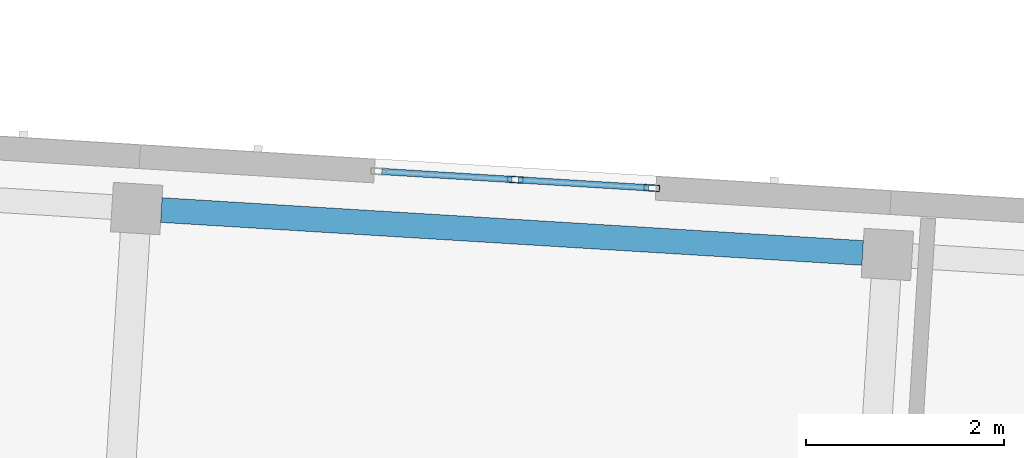
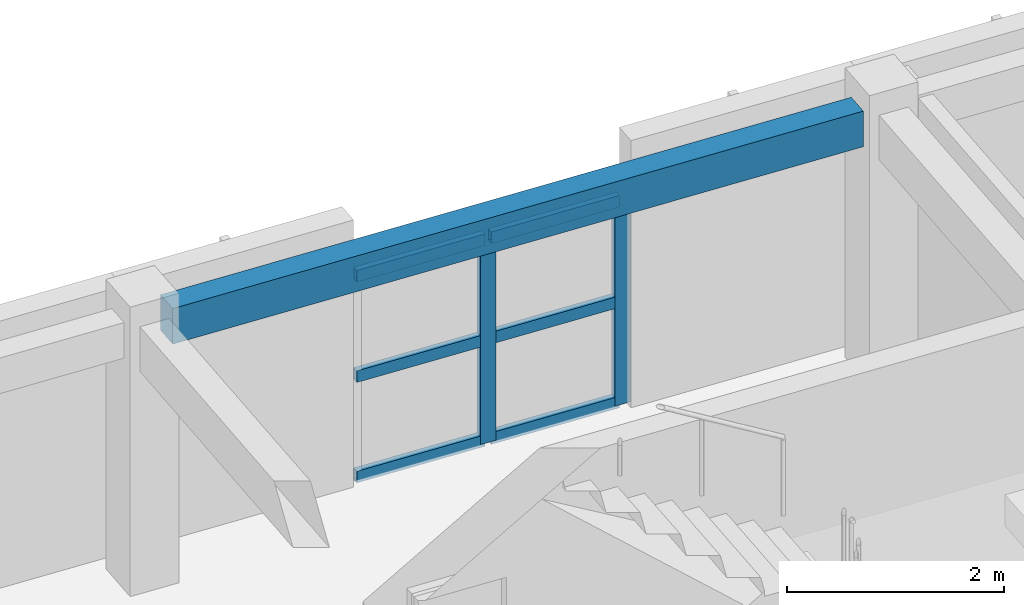
# One storey, part 38 of 127: 8 members, 1 beam, 1 element without a shape of its own.
"""IFC4 building model written with IfcOpenShell, lengths in metres."""

from ifc_helpers import new_model, si_unit, direction, frame, origin, origin_2d, place, context, subcontext, project, spatial, rectangle, hollow_rectangle, extrude, material, material_profile, profile_set, type_object, element, aggregate, save


model = new_model("IFC4")

# Units and contexts
model_context = context("Model", 3, precision=1e-05, world=origin(), true_north=direction((0.0, 1.0)))
body_context = subcontext(model_context, "Body", "Model", "MODEL_VIEW")
ifc_project = project(units=[si_unit("LENGTHUNIT", "METRE"), si_unit("AREAUNIT", "SQUARE_METRE"), si_unit("VOLUMEUNIT", "CUBIC_METRE"), si_unit("PLANEANGLEUNIT", "RADIAN"), si_unit("MASSUNIT", "GRAM", prefix="KILO")], contexts=[model_context])

# Site, building, storey
site_placement = place(None, origin())
site = spatial("IfcSite", under=ifc_project, at=site_placement, CompositionType="ELEMENT")
building_placement = place(site_placement, origin())
building = spatial("IfcBuilding", under=site, at=building_placement, Name="Kestramere Prow Commons", CompositionType="ELEMENT")
storey_placement = place(building_placement, frame((0.0, 0.0, 8.39990234375)))
storey = spatial("IfcBuildingStorey", under=building, at=storey_placement, Name="L02", CompositionType="ELEMENT", Elevation=8.39990234375)

# Curtain wall, members
ifc_material_1 = material(Name="Anodised Aluminium and Low-E Glass", Category="aluminium")
curtain_wall_type = type_object("IfcCurtainWallType", Name="CW-03 Glazed Curtain Wall 2830x2320", PredefinedType="USERDEFINED", material=ifc_material_1)
curtain_wall_placement = place(storey_placement, origin())
curtain_wall = element("IfcCurtainWall", 1, at=curtain_wall_placement, inside=storey, type_object=curtain_wall_type, Name="Block C L02 Stairwell Vertical Glazing 3", ObjectType="GLAZED CURTAIN WALL", PredefinedType="USERDEFINED")
ifc_material_2 = material(Name="Anodised Aluminium 6063-T6", Category="aluminium")
ifc_material_profile_1 = material_profile(ifc_material_2, hollow_rectangle(XDim=0.06494140625, YDim=0.159912109375, WallThickness=0.00390625, at=origin_2d()), Name="ALU-MUL 65x160")
ifc_profile_set_1 = profile_set([ifc_material_profile_1], Name="Anodised Aluminium 6063-T6")
member_type_1 = type_object("IfcMemberType", Name="CW-MUL-65x160", PredefinedType="MULLION", material=ifc_profile_set_1)
member_1_placement = place(storey_placement, frame((79.693115234375, 65.427490234375, 0.0), z_axis=(0.0, 0.0, 1.0), x_axis=(0.061048399176, 0.998134807007, 0.0)))
member_1 = element("IfcMember", 2, at=member_1_placement, type_object=member_type_1, Name="CW-03 mullion 2", PredefinedType="MULLION", context=body_context, shape_type="SweptSolid", body=[
    extrude(hollow_rectangle(XDim=0.06494140625, YDim=0.159912109375, WallThickness=0.00390625, at=origin_2d()), origin(), (0.0, 0.0, 1.0), 2.320068359375),
])
member_2_placement = place(storey_placement, frame((81.072998046875, 65.34326171875, 0.0), z_axis=(0.0, 0.0, 1.0), x_axis=(0.061048399176, 0.998134807007, 0.0)))
member_2 = element("IfcMember", 3, at=member_2_placement, type_object=member_type_1, Name="CW-03 mullion 3", PredefinedType="MULLION", context=body_context, shape_type="SweptSolid", body=[
    extrude(hollow_rectangle(XDim=0.06494140625, YDim=0.159912109375, WallThickness=0.00390625, at=origin_2d()), origin(), (0.0, 0.0, 1.0), 2.320068359375),
])
ifc_material_profile_2 = material_profile(ifc_material_2, hollow_rectangle(XDim=0.06494140625, YDim=0.1298828125, WallThickness=0.00390625, at=origin_2d()), Name="ALU-TRN 65x130")
ifc_profile_set_2 = profile_set([ifc_material_profile_2], Name="Anodised Aluminium 6063-T6")
member_type_2 = type_object("IfcMemberType", Name="CW-TRN-65x130", PredefinedType="USERDEFINED", material=ifc_profile_set_2)
member_3_placement = place(storey_placement, frame((78.345703125, 65.510009765625, 0.03271484375), z_axis=(0.99812826429, -0.061155277983, 0.0), x_axis=(0.061155277983, 0.99812826429, 0.0)))
member_3 = element("IfcMember", 4, at=member_3_placement, type_object=member_type_2, Name="CW-03 transom 1.1", ObjectType="TRANSOM", PredefinedType="USERDEFINED", context=body_context, shape_type="SweptSolid", body=[
    extrude(hollow_rectangle(XDim=0.06494140625, YDim=0.1298828125, WallThickness=0.00390625, at=origin_2d()), origin(), (0.0, 0.0, 1.0), 1.3173828125),
])
member_4_placement = place(storey_placement, frame((78.345703125, 65.510009765625, 1.16015625), z_axis=(0.99812826429, -0.061155277983, 0.0), x_axis=(0.061155277983, 0.99812826429, 0.0)))
member_4 = element("IfcMember", 5, at=member_4_placement, type_object=member_type_2, Name="CW-03 transom 1.2", ObjectType="TRANSOM", PredefinedType="USERDEFINED", context=body_context, shape_type="SweptSolid", body=[
    extrude(hollow_rectangle(XDim=0.06494140625, YDim=0.1298828125, WallThickness=0.00390625, at=origin_2d()), origin(), (0.0, 0.0, 1.0), 1.3173828125),
])
member_5_placement = place(storey_placement, frame((78.345703125, 65.510009765625, 2.28759765625), z_axis=(0.99812826429, -0.061155277983, 0.0), x_axis=(0.061155277983, 0.99812826429, 0.0)))
member_5 = element("IfcMember", 6, at=member_5_placement, type_object=member_type_2, Name="CW-03 transom 1.3", ObjectType="TRANSOM", PredefinedType="USERDEFINED", context=body_context, shape_type="SweptSolid", body=[
    extrude(hollow_rectangle(XDim=0.06494140625, YDim=0.1298828125, WallThickness=0.00390625, at=origin_2d()), origin(), (0.0, 0.0, 1.0), 1.3173828125),
])
member_6_placement = place(storey_placement, frame((79.7255859375, 65.425537109375, 0.03271484375), z_axis=(0.998139559366, -0.06097064891, 0.0), x_axis=(0.06097064891, 0.998139559366, 0.0)))
member_6 = element("IfcMember", 7, at=member_6_placement, type_object=member_type_2, Name="CW-03 transom 2.1", ObjectType="TRANSOM", PredefinedType="USERDEFINED", context=body_context, shape_type="SweptSolid", body=[
    extrude(hollow_rectangle(XDim=0.06494140625, YDim=0.1298828125, WallThickness=0.00390625, at=origin_2d()), origin(), (0.0, 0.0, 1.0), 1.3173828125),
])
member_7_placement = place(storey_placement, frame((79.7255859375, 65.425537109375, 1.16015625), z_axis=(0.998139559366, -0.06097064891, 0.0), x_axis=(0.06097064891, 0.998139559366, 0.0)))
member_7 = element("IfcMember", 8, at=member_7_placement, type_object=member_type_2, Name="CW-03 transom 2.2", ObjectType="TRANSOM", PredefinedType="USERDEFINED", context=body_context, shape_type="SweptSolid", body=[
    extrude(hollow_rectangle(XDim=0.06494140625, YDim=0.1298828125, WallThickness=0.00390625, at=origin_2d()), origin(), (0.0, 0.0, 1.0), 1.3173828125),
])
member_8_placement = place(storey_placement, frame((79.7255859375, 65.425537109375, 2.28759765625), z_axis=(0.998139559366, -0.06097064891, 0.0), x_axis=(0.06097064891, 0.998139559366, 0.0)))
member_8 = element("IfcMember", 9, at=member_8_placement, type_object=member_type_2, Name="CW-03 transom 2.3", ObjectType="TRANSOM", PredefinedType="USERDEFINED", context=body_context, shape_type="SweptSolid", body=[
    extrude(hollow_rectangle(XDim=0.06494140625, YDim=0.1298828125, WallThickness=0.00390625, at=origin_2d()), origin(), (0.0, 0.0, 1.0), 1.3173828125),
])
aggregate(curtain_wall, [member_1, member_2, member_3, member_4, member_5, member_6, member_7, member_8])

# Beam
ifc_material_3 = material(Name="Precast concrete C40/50", Category="concrete")
ifc_material_profile_3 = material_profile(ifc_material_3, rectangle(XDim=0.25, YDim=0.39990234375, at=origin_2d()), Name="PC-SP 250x400")
ifc_profile_set_3 = profile_set([ifc_material_profile_3], Name="Precast concrete C40/50")
beam_type = type_object("IfcBeamType", Name="SP-EXT-01 PC-SP 250x400", PredefinedType="SPANDREL", material=ifc_profile_set_3)
beam_placement = place(storey_placement, frame((76.11767578125, 65.120361328125, 2.800048828125), z_axis=(0.998133600873, -0.061068116134, 0.0), x_axis=(0.061068116134, 0.998133600873, 0.0)))
element("IfcBeam", 10, at=beam_placement, inside=storey, type_object=beam_type, Name="Block C L02 Longitudinal Beam 4-3", PredefinedType="SPANDREL", context=body_context, shape_type="SweptSolid", body=[
    extrude(rectangle(XDim=0.25, YDim=0.39990234375, at=origin_2d()), origin(), (0.0, 0.0, 1.0), 7.10009765625),
])

save(model, "model.ifc")
